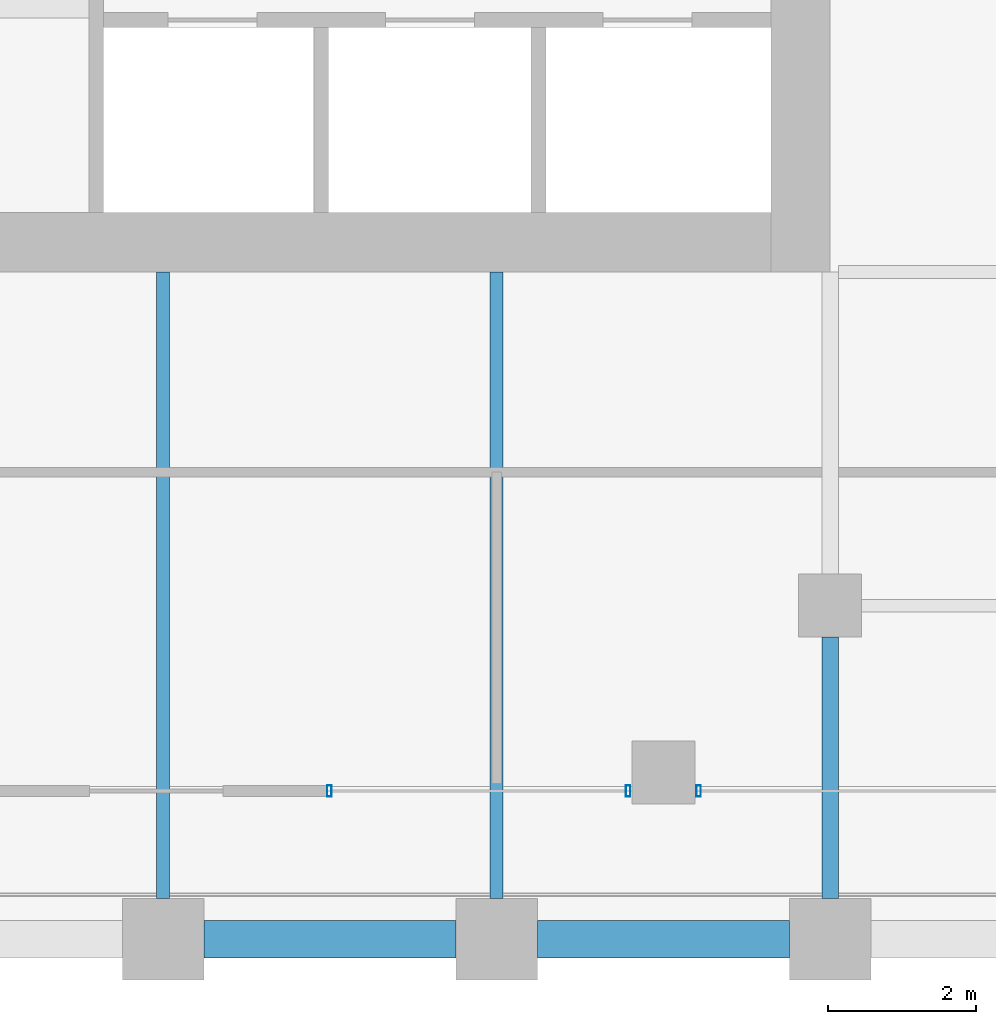
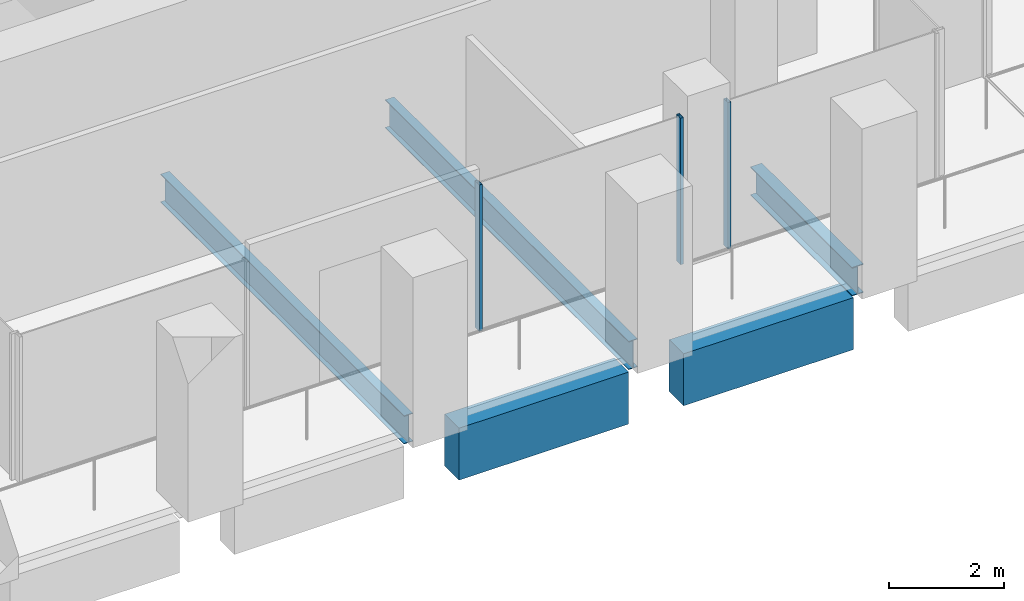
# One storey, part 37 of 54: 5 beams, 3 members, 2 elements without a shape of their own.
"""IFC4 building model written with IfcOpenShell, lengths in metres."""

from ifc_helpers import new_model, si_unit, direction, frame, origin, origin_2d, place, context, subcontext, project, spatial, rectangle, hollow_rectangle, i_section, extrude, material, material_profile, profile_set, type_object, element, aggregate, save


model = new_model("IFC4")

# Units and contexts
model_context = context("Model", 3, precision=1e-05, world=origin(), true_north=direction((0.0, 1.0)))
body_context = subcontext(model_context, "Body", "Model", "MODEL_VIEW")
ifc_project = project(units=[si_unit("LENGTHUNIT", "METRE"), si_unit("AREAUNIT", "SQUARE_METRE"), si_unit("VOLUMEUNIT", "CUBIC_METRE"), si_unit("PLANEANGLEUNIT", "RADIAN"), si_unit("MASSUNIT", "GRAM", prefix="KILO")], contexts=[model_context])

# Site, building, storey
site_placement = place(None, origin())
site = spatial("IfcSite", under=ifc_project, at=site_placement, CompositionType="ELEMENT")
building_placement = place(site_placement, origin())
building = spatial("IfcBuilding", under=site, at=building_placement, Name="Altepetl Exchange Towers", CompositionType="ELEMENT")
storey_placement = place(building_placement, frame((0.0, 0.0, 61.800048828125)))
storey = spatial("IfcBuildingStorey", under=building, at=storey_placement, Name="L14", CompositionType="ELEMENT", Elevation=61.800048828125)

# Beams
ifc_material_1 = material(Name="Steel S355", Category="steel")
ifc_material_profile_1 = material_profile(ifc_material_1, i_section(OverallWidth=0.177978515625, OverallDepth=0.59912109375, WebThickness=0.010009765625, FlangeThickness=0.0126953125, at=origin_2d()), Name="W24X55")
ifc_profile_set_1 = profile_set([ifc_material_profile_1], Name="Steel S355")
beam_type_1 = type_object("IfcBeamType", Name="Floor beam W24X55", PredefinedType="BEAM", material=ifc_profile_set_1)
for number, where, z_axis, x_axis, name in (
    (1, (108.0, 27.550048828125, -0.449462890625), (0.0, 1.0, 0.0), (-1.0, 0.0, 0.0), "bm:B:L14:010"),
    (2, (112.5, 27.550048828125, -0.449462890625), (0.0, 1.0, 0.0), (-1.0, 0.0, 0.0), "bm:B:L14:011"),
):
    element("IfcBeam", number, at=place(storey_placement, frame(where, z_axis=z_axis, x_axis=x_axis)), inside=storey, type_object=beam_type_1, Name=name, PredefinedType="BEAM", context=body_context, shape_type="SweptSolid", body=[
        extrude(i_section(OverallWidth=0.177978515625, OverallDepth=0.59912109375, WebThickness=0.010009765625, FlangeThickness=0.0126953125, at=origin_2d()), origin(), (0.0, 0.0, 1.0), 8.449951171875),
    ])
ifc_material_profile_2 = material_profile(ifc_material_1, i_section(OverallWidth=0.22802734375, OverallDepth=0.60791015625, WebThickness=0.01123046875, FlangeThickness=0.017333984375, at=origin_2d()), Name="W24X76")
ifc_profile_set_2 = profile_set([ifc_material_profile_2], Name="Steel S355")
beam_type_2 = type_object("IfcBeamType", Name="Girder W24X76", PredefinedType="BEAM", material=ifc_profile_set_2)
beam_placement = place(storey_placement, frame((117.0, 31.074951171875, -0.4541015625), z_axis=(0.0, -1.0, 0.0), x_axis=(1.0, 0.0, 0.0)))
element("IfcBeam", 3, at=beam_placement, inside=storey, type_object=beam_type_2, Name="gd:B:L14:005", PredefinedType="BEAM", context=body_context, shape_type="SweptSolid", body=[
    extrude(i_section(OverallWidth=0.22802734375, OverallDepth=0.60791015625, WebThickness=0.01123046875, FlangeThickness=0.017333984375, at=origin_2d()), origin(), (0.0, 0.0, 1.0), 3.52490234375),
])

# Curtain wall, members
ifc_material_2 = material(Name="Aluminium 6063-T6 glazing", Category="aluminium")
curtain_wall_type = type_object("IfcCurtainWallType", Name="Loggia glazing system", PredefinedType="NOTDEFINED", material=ifc_material_2)
curtain_wall_1_placement = place(storey_placement, origin())
curtain_wall_1 = element("IfcCurtainWall", 4, at=curtain_wall_1_placement, inside=storey, type_object=curtain_wall_type, Name="CW1 run", PredefinedType="NOTDEFINED")
ifc_material_3 = material(Name="Aluminium 6063-T6", Category="aluminium")
ifc_material_profile_3 = material_profile(ifc_material_3, hollow_rectangle(XDim=0.06005859375, YDim=0.14990234375, WallThickness=0.0029296875, at=origin_2d()), Name="Mullion 60x150 aluminium")
ifc_profile_set_3 = profile_set([ifc_material_profile_3], Name="Aluminium 6063-T6")
member_type = type_object("IfcMemberType", Name="Mullion 60x150 aluminium", PredefinedType="MULLION", material=ifc_profile_set_3)
member_1_placement = place(storey_placement, frame((110.242431640625, 29.0, 0.0)))
member_1 = element("IfcMember", 5, at=member_1_placement, type_object=member_type, Name="MU1 mullion", PredefinedType="MULLION", context=body_context, shape_type="SweptSolid", body=[
    extrude(hollow_rectangle(XDim=0.06005859375, YDim=0.14990234375, WallThickness=0.0029296875, at=origin_2d()), origin(), (0.0, 0.0, 1.0), 3.099853515625),
])
member_2_placement = place(storey_placement, frame((114.27490234375, 29.0, 0.0)))
member_2 = element("IfcMember", 6, at=member_2_placement, type_object=member_type, Name="MU1 mullion", PredefinedType="MULLION", context=body_context, shape_type="SweptSolid", body=[
    extrude(hollow_rectangle(XDim=0.06005859375, YDim=0.14990234375, WallThickness=0.0029296875, at=origin_2d()), origin(), (0.0, 0.0, 1.0), 3.099853515625),
])
aggregate(curtain_wall_1, [member_1, member_2])

# Curtain wall, member
curtain_wall_2_placement = place(storey_placement, origin())
curtain_wall_2 = element("IfcCurtainWall", 7, at=curtain_wall_2_placement, inside=storey, type_object=curtain_wall_type, Name="CW1 run", PredefinedType="NOTDEFINED")
member_3_placement = place(storey_placement, frame((115.22509765625, 29.0, 0.0)))
member_3 = element("IfcMember", 8, at=member_3_placement, type_object=member_type, Name="MU1 mullion", PredefinedType="MULLION", context=body_context, shape_type="SweptSolid", body=[
    extrude(hollow_rectangle(XDim=0.06005859375, YDim=0.14990234375, WallThickness=0.0029296875, at=origin_2d()), origin(), (0.0, 0.0, 1.0), 3.099853515625),
])
aggregate(curtain_wall_2, [member_3])

# Beams
ifc_material_4 = material(Name="Concrete C50/60 precast with tezontle facing", Category="concrete")
ifc_material_profile_4 = material_profile(ifc_material_4, rectangle(XDim=0.5, YDim=1.10009765625, at=origin_2d()), Name="500 x 1100")
ifc_profile_set_4 = profile_set([ifc_material_profile_4], Name="Concrete C50/60 precast with tezontle facing")
beam_type_3 = type_object("IfcBeamType", Name="Spandrel beam 500x1100 tezontle", PredefinedType="SPANDREL", material=ifc_profile_set_4)
for number, where, z_axis, x_axis, name in (
    (9, (108.550048828125, 27.0, -0.699951171875), (1.0, 0.0, 0.0), (0.0, 1.0, 0.0), "sp:B:L14:002"),
    (10, (113.050048828125, 27.0, -0.699951171875), (1.0, 0.0, 0.0), (0.0, 1.0, 0.0), "sp:B:L14:003"),
):
    element("IfcBeam", number, at=place(storey_placement, frame(where, z_axis=z_axis, x_axis=x_axis)), inside=storey, type_object=beam_type_3, Name=name, PredefinedType="SPANDREL", context=body_context, shape_type="SweptSolid", body=[
        extrude(rectangle(XDim=0.5, YDim=1.10009765625, at=origin_2d()), origin(), (0.0, 0.0, 1.0), 3.39990234375),
    ])

save(model, "model.ifc")
